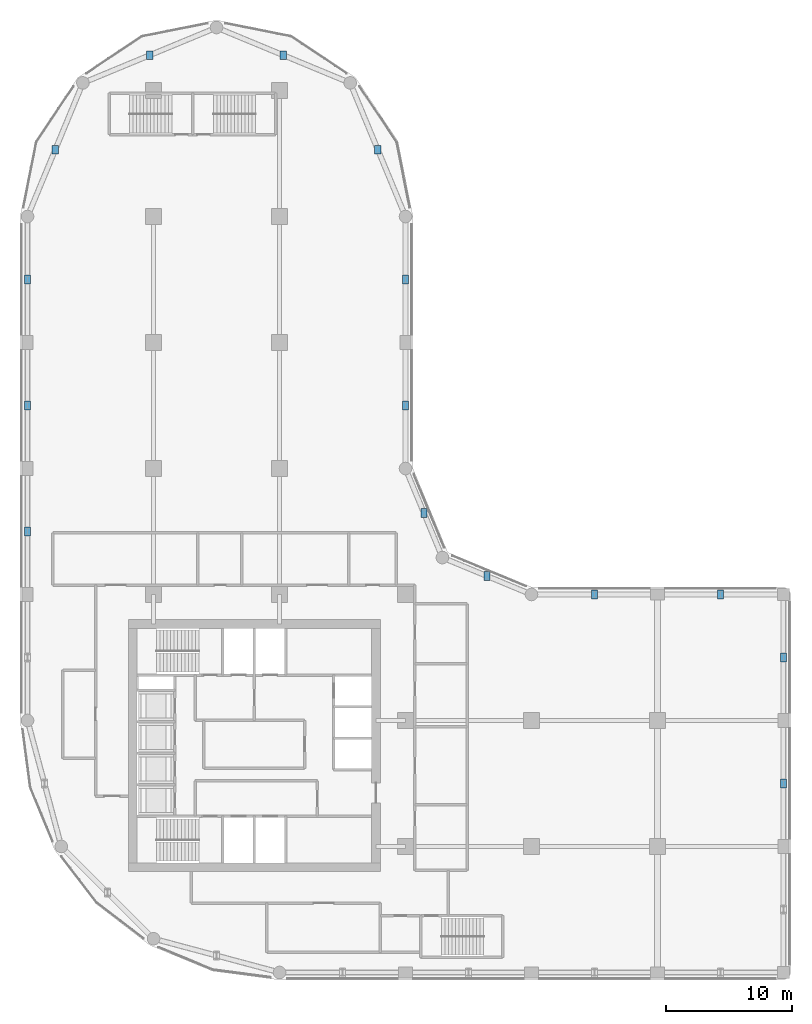
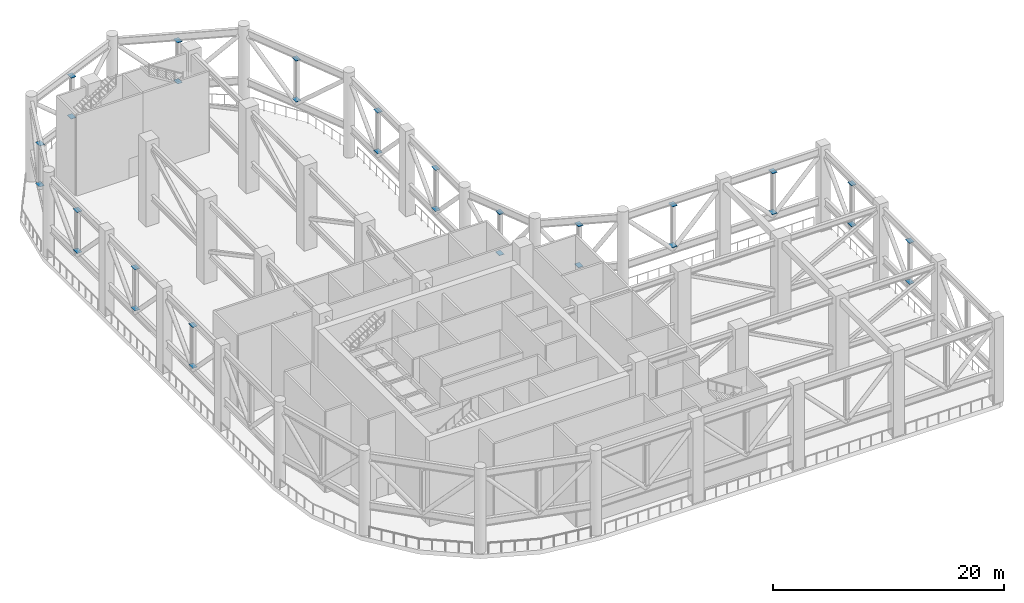
# One storey, part 10 of 13: 30 discrete accessories.
"""IFC4 building model written with IfcOpenShell, lengths in metres."""

from ifc_helpers import new_model, si_unit, direction, frame, origin, origin_2d, place, context, subcontext, project, spatial, rectangle, extrude, material, type_object, element, save


model = new_model("IFC4")

# Units and contexts
model_context = context("Model", 3, precision=1e-05, world=origin(), true_north=direction((0.0, 1.0)))
body_context = subcontext(model_context, "Body", "Model", "MODEL_VIEW")
ifc_project = project(units=[si_unit("LENGTHUNIT", "METRE"), si_unit("AREAUNIT", "SQUARE_METRE"), si_unit("VOLUMEUNIT", "CUBIC_METRE"), si_unit("PLANEANGLEUNIT", "RADIAN"), si_unit("MASSUNIT", "GRAM", prefix="KILO")], contexts=[model_context])

# Site, building, storey
site_placement = place(None, origin())
site = spatial("IfcSite", under=ifc_project, at=site_placement, CompositionType="ELEMENT")
building_placement = place(site_placement, origin())
building = spatial("IfcBuilding", under=site, at=building_placement, Name="Qaws Garden Tower", CompositionType="ELEMENT")
storey_placement = place(building_placement, frame((0.0, 0.0, 237.0)))
storey = spatial("IfcBuildingStorey", under=building, at=storey_placement, Name="L58", CompositionType="ELEMENT", Elevation=237.0)

# Discrete accessories
ifc_material = material(Name="Steel S355", Category="steel")
discrete_accessory_type = type_object("IfcDiscreteAccessoryType", Name="Belt post end plate 30", PredefinedType="USERDEFINED", material=ifc_material)
discrete_accessory_1_placement = place(storey_placement, frame((60.0, 15.0, 3.39990234375), z_axis=(0.0, 0.0, 1.0), x_axis=(1.0, 0.0, 0.0)))
element("IfcDiscreteAccessory", 1, at=discrete_accessory_1_placement, inside=storey, type_object=discrete_accessory_type, Name="Belt truss post 6 end plate bottom", ObjectType="End plate", PredefinedType="USERDEFINED", context=body_context, shape_type="SweptSolid", body=[
    extrude(rectangle(XDim=0.5, YDim=0.699951171875, at=origin_2d()), origin(), (0.0, 0.0, 1.0), 0.030029296875),
])
discrete_accessory_2_placement = place(storey_placement, frame((60.0, 15.0, 7.72021484375), z_axis=(0.0, 0.0, 1.0), x_axis=(1.0, 0.0, 0.0)))
element("IfcDiscreteAccessory", 2, at=discrete_accessory_2_placement, inside=storey, type_object=discrete_accessory_type, Name="Belt truss post 6 end plate top", ObjectType="End plate", PredefinedType="USERDEFINED", context=body_context, shape_type="SweptSolid", body=[
    extrude(rectangle(XDim=0.5, YDim=0.699951171875, at=origin_2d()), origin(), (0.0, 0.0, 1.0), 0.030029296875),
])
discrete_accessory_3_placement = place(storey_placement, frame((60.0, 25.0, 3.39990234375), z_axis=(0.0, 0.0, 1.0), x_axis=(1.0, 0.0, 0.0)))
element("IfcDiscreteAccessory", 3, at=discrete_accessory_3_placement, inside=storey, type_object=discrete_accessory_type, Name="Belt truss post 7 end plate bottom", ObjectType="End plate", PredefinedType="USERDEFINED", context=body_context, shape_type="SweptSolid", body=[
    extrude(rectangle(XDim=0.5, YDim=0.699951171875, at=origin_2d()), origin(), (0.0, 0.0, 1.0), 0.030029296875),
])
discrete_accessory_4_placement = place(storey_placement, frame((60.0, 25.0, 7.72021484375), z_axis=(0.0, 0.0, 1.0), x_axis=(1.0, 0.0, 0.0)))
element("IfcDiscreteAccessory", 4, at=discrete_accessory_4_placement, inside=storey, type_object=discrete_accessory_type, Name="Belt truss post 7 end plate top", ObjectType="End plate", PredefinedType="USERDEFINED", context=body_context, shape_type="SweptSolid", body=[
    extrude(rectangle(XDim=0.5, YDim=0.699951171875, at=origin_2d()), origin(), (0.0, 0.0, 1.0), 0.030029296875),
])
discrete_accessory_5_placement = place(storey_placement, frame((55.0, 30.0, 3.39990234375), z_axis=(0.0, 0.0, 1.0), x_axis=(1.0, 0.0, 0.0)))
element("IfcDiscreteAccessory", 5, at=discrete_accessory_5_placement, inside=storey, type_object=discrete_accessory_type, Name="Belt truss post 8 end plate bottom", ObjectType="End plate", PredefinedType="USERDEFINED", context=body_context, shape_type="SweptSolid", body=[
    extrude(rectangle(XDim=0.5, YDim=0.699951171875, at=origin_2d()), origin(), (0.0, 0.0, 1.0), 0.030029296875),
])
discrete_accessory_6_placement = place(storey_placement, frame((55.0, 30.0, 7.72021484375), z_axis=(0.0, 0.0, 1.0), x_axis=(1.0, 0.0, 0.0)))
element("IfcDiscreteAccessory", 6, at=discrete_accessory_6_placement, inside=storey, type_object=discrete_accessory_type, Name="Belt truss post 8 end plate top", ObjectType="End plate", PredefinedType="USERDEFINED", context=body_context, shape_type="SweptSolid", body=[
    extrude(rectangle(XDim=0.5, YDim=0.699951171875, at=origin_2d()), origin(), (0.0, 0.0, 1.0), 0.030029296875),
])
discrete_accessory_7_placement = place(storey_placement, frame((45.0, 30.0, 3.39990234375), z_axis=(0.0, 0.0, 1.0), x_axis=(1.0, 0.0, 0.0)))
element("IfcDiscreteAccessory", 7, at=discrete_accessory_7_placement, inside=storey, type_object=discrete_accessory_type, Name="Belt truss post 9 end plate bottom", ObjectType="End plate", PredefinedType="USERDEFINED", context=body_context, shape_type="SweptSolid", body=[
    extrude(rectangle(XDim=0.5, YDim=0.699951171875, at=origin_2d()), origin(), (0.0, 0.0, 1.0), 0.030029296875),
])
discrete_accessory_8_placement = place(storey_placement, frame((45.0, 30.0, 7.72021484375), z_axis=(0.0, 0.0, 1.0), x_axis=(1.0, 0.0, 0.0)))
element("IfcDiscreteAccessory", 8, at=discrete_accessory_8_placement, inside=storey, type_object=discrete_accessory_type, Name="Belt truss post 9 end plate top", ObjectType="End plate", PredefinedType="USERDEFINED", context=body_context, shape_type="SweptSolid", body=[
    extrude(rectangle(XDim=0.5, YDim=0.699951171875, at=origin_2d()), origin(), (0.0, 0.0, 1.0), 0.030029296875),
])
discrete_accessory_9_placement = place(storey_placement, frame((36.46435546875, 31.46435546875, 3.39990234375), z_axis=(0.0, 0.0, 1.0), x_axis=(1.0, 0.0, 0.0)))
element("IfcDiscreteAccessory", 9, at=discrete_accessory_9_placement, inside=storey, type_object=discrete_accessory_type, Name="Belt truss post 10 end plate bottom", ObjectType="End plate", PredefinedType="USERDEFINED", context=body_context, shape_type="SweptSolid", body=[
    extrude(rectangle(XDim=0.5, YDim=0.699951171875, at=origin_2d()), origin(), (0.0, 0.0, 1.0), 0.030029296875),
])
discrete_accessory_10_placement = place(storey_placement, frame((36.46435546875, 31.46435546875, 7.72021484375), z_axis=(0.0, 0.0, 1.0), x_axis=(1.0, 0.0, 0.0)))
element("IfcDiscreteAccessory", 10, at=discrete_accessory_10_placement, inside=storey, type_object=discrete_accessory_type, Name="Belt truss post 10 end plate top", ObjectType="End plate", PredefinedType="USERDEFINED", context=body_context, shape_type="SweptSolid", body=[
    extrude(rectangle(XDim=0.5, YDim=0.699951171875, at=origin_2d()), origin(), (0.0, 0.0, 1.0), 0.030029296875),
])
discrete_accessory_11_placement = place(storey_placement, frame((31.46435546875, 36.46435546875, 3.39990234375), z_axis=(0.0, 0.0, 1.0), x_axis=(1.0, 0.0, 0.0)))
element("IfcDiscreteAccessory", 11, at=discrete_accessory_11_placement, inside=storey, type_object=discrete_accessory_type, Name="Belt truss post 11 end plate bottom", ObjectType="End plate", PredefinedType="USERDEFINED", context=body_context, shape_type="SweptSolid", body=[
    extrude(rectangle(XDim=0.5, YDim=0.699951171875, at=origin_2d()), origin(), (0.0, 0.0, 1.0), 0.030029296875),
])
discrete_accessory_12_placement = place(storey_placement, frame((31.46435546875, 36.46435546875, 7.72021484375), z_axis=(0.0, 0.0, 1.0), x_axis=(1.0, 0.0, 0.0)))
element("IfcDiscreteAccessory", 12, at=discrete_accessory_12_placement, inside=storey, type_object=discrete_accessory_type, Name="Belt truss post 11 end plate top", ObjectType="End plate", PredefinedType="USERDEFINED", context=body_context, shape_type="SweptSolid", body=[
    extrude(rectangle(XDim=0.5, YDim=0.699951171875, at=origin_2d()), origin(), (0.0, 0.0, 1.0), 0.030029296875),
])
discrete_accessory_13_placement = place(storey_placement, frame((30.0, 45.0, 3.39990234375), z_axis=(0.0, 0.0, 1.0), x_axis=(1.0, 0.0, 0.0)))
element("IfcDiscreteAccessory", 13, at=discrete_accessory_13_placement, inside=storey, type_object=discrete_accessory_type, Name="Belt truss post 12 end plate bottom", ObjectType="End plate", PredefinedType="USERDEFINED", context=body_context, shape_type="SweptSolid", body=[
    extrude(rectangle(XDim=0.5, YDim=0.699951171875, at=origin_2d()), origin(), (0.0, 0.0, 1.0), 0.030029296875),
])
discrete_accessory_14_placement = place(storey_placement, frame((30.0, 45.0, 7.72021484375), z_axis=(0.0, 0.0, 1.0), x_axis=(1.0, 0.0, 0.0)))
element("IfcDiscreteAccessory", 14, at=discrete_accessory_14_placement, inside=storey, type_object=discrete_accessory_type, Name="Belt truss post 12 end plate top", ObjectType="End plate", PredefinedType="USERDEFINED", context=body_context, shape_type="SweptSolid", body=[
    extrude(rectangle(XDim=0.5, YDim=0.699951171875, at=origin_2d()), origin(), (0.0, 0.0, 1.0), 0.030029296875),
])
discrete_accessory_15_placement = place(storey_placement, frame((30.0, 55.0, 3.39990234375), z_axis=(0.0, 0.0, 1.0), x_axis=(1.0, 0.0, 0.0)))
element("IfcDiscreteAccessory", 15, at=discrete_accessory_15_placement, inside=storey, type_object=discrete_accessory_type, Name="Belt truss post 13 end plate bottom", ObjectType="End plate", PredefinedType="USERDEFINED", context=body_context, shape_type="SweptSolid", body=[
    extrude(rectangle(XDim=0.5, YDim=0.699951171875, at=origin_2d()), origin(), (0.0, 0.0, 1.0), 0.030029296875),
])
discrete_accessory_16_placement = place(storey_placement, frame((30.0, 55.0, 7.72021484375), z_axis=(0.0, 0.0, 1.0), x_axis=(1.0, 0.0, 0.0)))
element("IfcDiscreteAccessory", 16, at=discrete_accessory_16_placement, inside=storey, type_object=discrete_accessory_type, Name="Belt truss post 13 end plate top", ObjectType="End plate", PredefinedType="USERDEFINED", context=body_context, shape_type="SweptSolid", body=[
    extrude(rectangle(XDim=0.5, YDim=0.699951171875, at=origin_2d()), origin(), (0.0, 0.0, 1.0), 0.030029296875),
])
discrete_accessory_17_placement = place(storey_placement, frame((27.80322265625, 65.30322265625, 3.39990234375), z_axis=(0.0, 0.0, 1.0), x_axis=(1.0, 0.0, 0.0)))
element("IfcDiscreteAccessory", 17, at=discrete_accessory_17_placement, inside=storey, type_object=discrete_accessory_type, Name="Belt truss post 14 end plate bottom", ObjectType="End plate", PredefinedType="USERDEFINED", context=body_context, shape_type="SweptSolid", body=[
    extrude(rectangle(XDim=0.5, YDim=0.699951171875, at=origin_2d()), origin(), (0.0, 0.0, 1.0), 0.030029296875),
])
discrete_accessory_18_placement = place(storey_placement, frame((27.80322265625, 65.30322265625, 7.72021484375), z_axis=(0.0, 0.0, 1.0), x_axis=(1.0, 0.0, 0.0)))
element("IfcDiscreteAccessory", 18, at=discrete_accessory_18_placement, inside=storey, type_object=discrete_accessory_type, Name="Belt truss post 14 end plate top", ObjectType="End plate", PredefinedType="USERDEFINED", context=body_context, shape_type="SweptSolid", body=[
    extrude(rectangle(XDim=0.5, YDim=0.699951171875, at=origin_2d()), origin(), (0.0, 0.0, 1.0), 0.030029296875),
])
discrete_accessory_19_placement = place(storey_placement, frame((20.30322265625, 72.80322265625, 3.39990234375), z_axis=(0.0, 0.0, 1.0), x_axis=(1.0, 0.0, 0.0)))
element("IfcDiscreteAccessory", 19, at=discrete_accessory_19_placement, inside=storey, type_object=discrete_accessory_type, Name="Belt truss post 15 end plate bottom", ObjectType="End plate", PredefinedType="USERDEFINED", context=body_context, shape_type="SweptSolid", body=[
    extrude(rectangle(XDim=0.5, YDim=0.699951171875, at=origin_2d()), origin(), (0.0, 0.0, 1.0), 0.030029296875),
])
discrete_accessory_20_placement = place(storey_placement, frame((20.30322265625, 72.80322265625, 7.72021484375), z_axis=(0.0, 0.0, 1.0), x_axis=(1.0, 0.0, 0.0)))
element("IfcDiscreteAccessory", 20, at=discrete_accessory_20_placement, inside=storey, type_object=discrete_accessory_type, Name="Belt truss post 15 end plate top", ObjectType="End plate", PredefinedType="USERDEFINED", context=body_context, shape_type="SweptSolid", body=[
    extrude(rectangle(XDim=0.5, YDim=0.699951171875, at=origin_2d()), origin(), (0.0, 0.0, 1.0), 0.030029296875),
])
discrete_accessory_21_placement = place(storey_placement, frame((9.69677734375, 72.80322265625, 3.39990234375), z_axis=(0.0, 0.0, 1.0), x_axis=(1.0, 0.0, 0.0)))
element("IfcDiscreteAccessory", 21, at=discrete_accessory_21_placement, inside=storey, type_object=discrete_accessory_type, Name="Belt truss post 16 end plate bottom", ObjectType="End plate", PredefinedType="USERDEFINED", context=body_context, shape_type="SweptSolid", body=[
    extrude(rectangle(XDim=0.5, YDim=0.699951171875, at=origin_2d()), origin(), (0.0, 0.0, 1.0), 0.030029296875),
])
discrete_accessory_22_placement = place(storey_placement, frame((9.69677734375, 72.80322265625, 7.72021484375), z_axis=(0.0, 0.0, 1.0), x_axis=(1.0, 0.0, 0.0)))
element("IfcDiscreteAccessory", 22, at=discrete_accessory_22_placement, inside=storey, type_object=discrete_accessory_type, Name="Belt truss post 16 end plate top", ObjectType="End plate", PredefinedType="USERDEFINED", context=body_context, shape_type="SweptSolid", body=[
    extrude(rectangle(XDim=0.5, YDim=0.699951171875, at=origin_2d()), origin(), (0.0, 0.0, 1.0), 0.030029296875),
])
discrete_accessory_23_placement = place(storey_placement, frame((2.19677734375, 65.30322265625, 3.39990234375), z_axis=(0.0, 0.0, 1.0), x_axis=(1.0, 0.0, 0.0)))
element("IfcDiscreteAccessory", 23, at=discrete_accessory_23_placement, inside=storey, type_object=discrete_accessory_type, Name="Belt truss post 17 end plate bottom", ObjectType="End plate", PredefinedType="USERDEFINED", context=body_context, shape_type="SweptSolid", body=[
    extrude(rectangle(XDim=0.5, YDim=0.699951171875, at=origin_2d()), origin(), (0.0, 0.0, 1.0), 0.030029296875),
])
discrete_accessory_24_placement = place(storey_placement, frame((2.19677734375, 65.30322265625, 7.72021484375), z_axis=(0.0, 0.0, 1.0), x_axis=(1.0, 0.0, 0.0)))
element("IfcDiscreteAccessory", 24, at=discrete_accessory_24_placement, inside=storey, type_object=discrete_accessory_type, Name="Belt truss post 17 end plate top", ObjectType="End plate", PredefinedType="USERDEFINED", context=body_context, shape_type="SweptSolid", body=[
    extrude(rectangle(XDim=0.5, YDim=0.699951171875, at=origin_2d()), origin(), (0.0, 0.0, 1.0), 0.030029296875),
])
discrete_accessory_25_placement = place(storey_placement, frame((0.0, 55.0, 3.39990234375), z_axis=(0.0, 0.0, 1.0), x_axis=(1.0, 0.0, 0.0)))
element("IfcDiscreteAccessory", 25, at=discrete_accessory_25_placement, inside=storey, type_object=discrete_accessory_type, Name="Belt truss post 18 end plate bottom", ObjectType="End plate", PredefinedType="USERDEFINED", context=body_context, shape_type="SweptSolid", body=[
    extrude(rectangle(XDim=0.5, YDim=0.699951171875, at=origin_2d()), origin(), (0.0, 0.0, 1.0), 0.030029296875),
])
discrete_accessory_26_placement = place(storey_placement, frame((0.0, 55.0, 7.72021484375), z_axis=(0.0, 0.0, 1.0), x_axis=(1.0, 0.0, 0.0)))
element("IfcDiscreteAccessory", 26, at=discrete_accessory_26_placement, inside=storey, type_object=discrete_accessory_type, Name="Belt truss post 18 end plate top", ObjectType="End plate", PredefinedType="USERDEFINED", context=body_context, shape_type="SweptSolid", body=[
    extrude(rectangle(XDim=0.5, YDim=0.699951171875, at=origin_2d()), origin(), (0.0, 0.0, 1.0), 0.030029296875),
])
discrete_accessory_27_placement = place(storey_placement, frame((0.0, 45.0, 3.39990234375), z_axis=(0.0, 0.0, 1.0), x_axis=(1.0, 0.0, 0.0)))
element("IfcDiscreteAccessory", 27, at=discrete_accessory_27_placement, inside=storey, type_object=discrete_accessory_type, Name="Belt truss post 19 end plate bottom", ObjectType="End plate", PredefinedType="USERDEFINED", context=body_context, shape_type="SweptSolid", body=[
    extrude(rectangle(XDim=0.5, YDim=0.699951171875, at=origin_2d()), origin(), (0.0, 0.0, 1.0), 0.030029296875),
])
discrete_accessory_28_placement = place(storey_placement, frame((0.0, 45.0, 7.72021484375), z_axis=(0.0, 0.0, 1.0), x_axis=(1.0, 0.0, 0.0)))
element("IfcDiscreteAccessory", 28, at=discrete_accessory_28_placement, inside=storey, type_object=discrete_accessory_type, Name="Belt truss post 19 end plate top", ObjectType="End plate", PredefinedType="USERDEFINED", context=body_context, shape_type="SweptSolid", body=[
    extrude(rectangle(XDim=0.5, YDim=0.699951171875, at=origin_2d()), origin(), (0.0, 0.0, 1.0), 0.030029296875),
])
discrete_accessory_29_placement = place(storey_placement, frame((0.0, 35.0, 3.39990234375), z_axis=(0.0, 0.0, 1.0), x_axis=(1.0, 0.0, 0.0)))
element("IfcDiscreteAccessory", 29, at=discrete_accessory_29_placement, inside=storey, type_object=discrete_accessory_type, Name="Belt truss post 20 end plate bottom", ObjectType="End plate", PredefinedType="USERDEFINED", context=body_context, shape_type="SweptSolid", body=[
    extrude(rectangle(XDim=0.5, YDim=0.699951171875, at=origin_2d()), origin(), (0.0, 0.0, 1.0), 0.030029296875),
])
discrete_accessory_30_placement = place(storey_placement, frame((0.0, 35.0, 7.72021484375), z_axis=(0.0, 0.0, 1.0), x_axis=(1.0, 0.0, 0.0)))
element("IfcDiscreteAccessory", 30, at=discrete_accessory_30_placement, inside=storey, type_object=discrete_accessory_type, Name="Belt truss post 20 end plate top", ObjectType="End plate", PredefinedType="USERDEFINED", context=body_context, shape_type="SweptSolid", body=[
    extrude(rectangle(XDim=0.5, YDim=0.699951171875, at=origin_2d()), origin(), (0.0, 0.0, 1.0), 0.030029296875),
])

save(model, "model.ifc")
